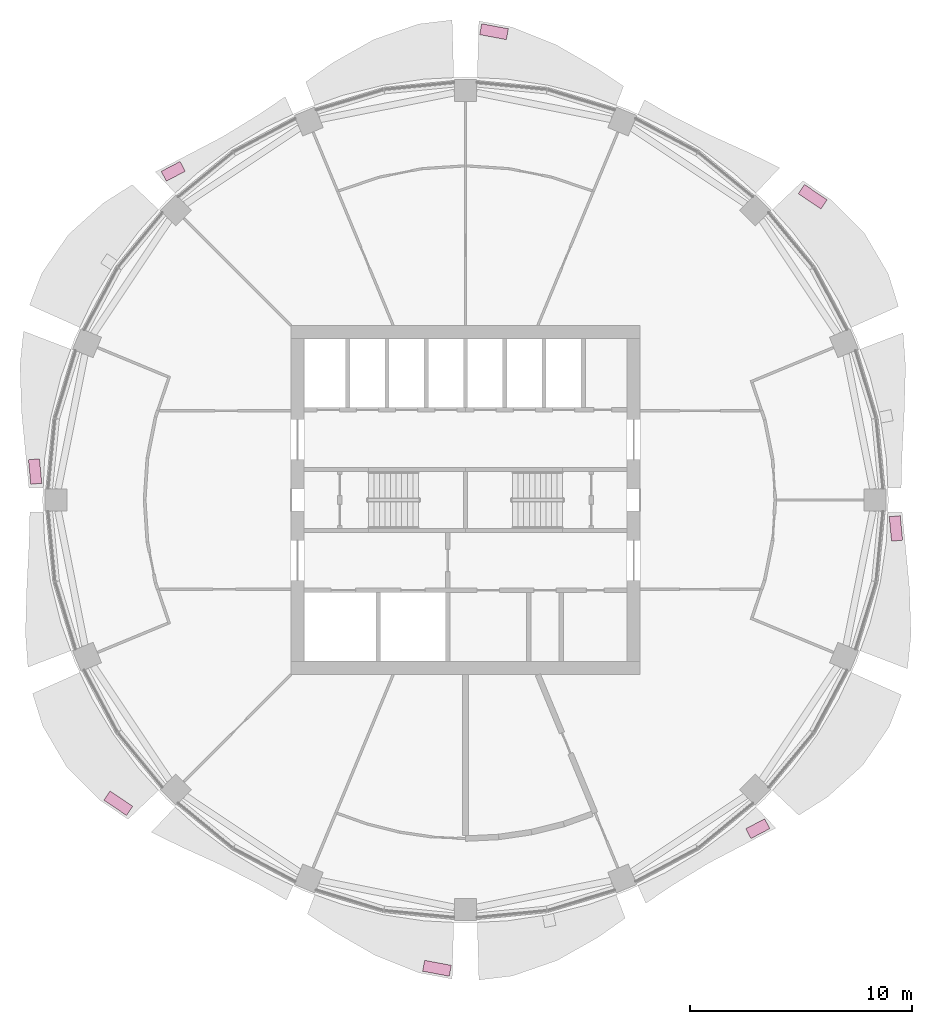
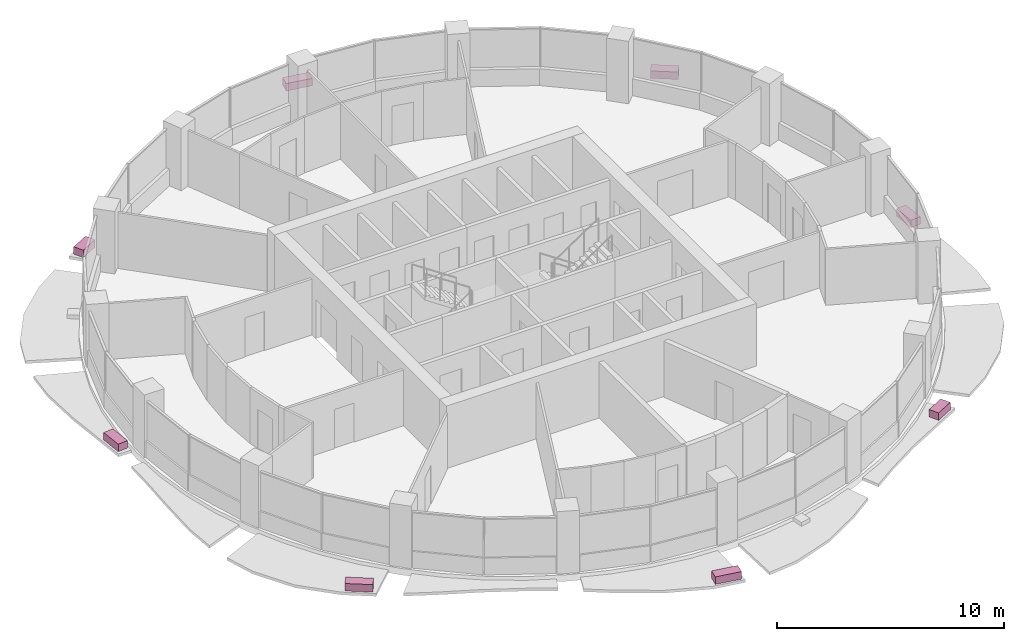
# One storey, part 15 of 15: 8 furniture elements.
"""IFC4 building model written with IfcOpenShell, lengths in metres."""

import ifcopenshell
import ifcopenshell.guid

model = None  # the IFC model being written
_history = None  # IfcOwnerHistory: only IFC2X3 demands one
_inside = {}  # id of a spatial element -> (the spatial element, [elements in it])
_under = {}  # id of a project, library or spatial element -> (it, [spatial elements below it])
_declared = {}  # id of a project -> (the project, [libraries it declares])
_typed = {}  # id of a type object -> (the type object, [elements of that type])
_made_of = {}  # id of a material, layer set ... -> (it, [elements and type objects made of it])


def new_model(schema):
    """Start an empty IFC model of exactly this schema.

    Asked for "IFC4X3", IfcOpenShell would pick the latest addendum, in which some entities
    have other attributes; the version numbers below select the first issue.
    IFC2X3 requires an IfcOwnerHistory on every rooted entity: one is made here for all.
    """
    global model, _history
    if schema == "IFC4X3":
        model = ifcopenshell.file(schema_version=(4, 3, 0, 0))
    else:
        model = ifcopenshell.file(schema=schema)
    _inside.clear()
    _under.clear()
    _declared.clear()
    _typed.clear()
    _made_of.clear()
    _history = None
    if model.schema == "IFC2X3":
        org = make("IfcOrganization", Name="unknown")
        user = make(
            "IfcPersonAndOrganization",
            ThePerson=make("IfcPerson", FamilyName="unknown"),
            TheOrganization=org,
        )
        app = make(
            "IfcApplication",
            ApplicationDeveloper=org,
            Version="unknown",
            ApplicationFullName="unknown",
            ApplicationIdentifier="unknown",
        )
        _history = make(
            "IfcOwnerHistory",
            OwningUser=user,
            OwningApplication=app,
            ChangeAction="ADDED",
            CreationDate=0,
        )
    return model


def make(cls, **values):
    """One entity of the class cls with the attributes given. An attribute that is None is left unset."""
    return model.create_entity(
        cls, **{name: value for name, value in values.items() if value is not None}
    )


def rooted(cls, **values):
    """An entity with a GlobalId (a new one), such as an element, a storey or a relation."""
    return make(cls, GlobalId=ifcopenshell.guid.new(), OwnerHistory=_history, **values)


def si_unit(unit_type, name, prefix=None):
    """IfcSIUnit, for example si_unit("LENGTHUNIT", "METRE", prefix="MILLI")."""
    return make("IfcSIUnit", UnitType=unit_type, Prefix=prefix, Name=name)


def assignment(units):
    """IfcUnitAssignment: the units of a project."""
    return None if units is None else make("IfcUnitAssignment", Units=units)


def point(xyz):
    """IfcCartesianPoint."""
    return None if xyz is None else make("IfcCartesianPoint", Coordinates=xyz)


def direction(xyz):
    """IfcDirection."""
    return None if xyz is None else make("IfcDirection", DirectionRatios=xyz)


def frame(location, z_axis=None, x_axis=None):
    """IfcAxis2Placement3D, a coordinate frame: its origin and axes. An axis left out is left unset."""
    return make(
        "IfcAxis2Placement3D",
        Location=point(location),
        Axis=direction(z_axis),
        RefDirection=direction(x_axis),
    )


def frame_2d(location, x_axis=None):
    """IfcAxis2Placement2D, a coordinate frame in the plane: its origin and x axis."""
    return make(
        "IfcAxis2Placement2D", Location=point(location), RefDirection=direction(x_axis)
    )


def origin():
    """The frame at (0, 0, 0) with its axes left unset."""
    return frame((0.0, 0.0, 0.0))


def origin_2d():
    """The frame at (0, 0) in the plane with its x axis left unset."""
    return frame_2d((0.0, 0.0))


def place(relative_to, where):
    """IfcLocalPlacement: puts the frame where relative to a parent placement (None: the world)."""
    return make(
        "IfcLocalPlacement", PlacementRelTo=relative_to, RelativePlacement=where
    )


def context(
    kind, dimensions, precision=None, world=None, true_north=None, identifier=None
):
    """IfcGeometricRepresentationContext, for example the 3D "Model" context."""
    return make(
        "IfcGeometricRepresentationContext",
        ContextIdentifier=identifier,
        ContextType=kind,
        CoordinateSpaceDimension=dimensions,
        Precision=precision,
        WorldCoordinateSystem=world,
        TrueNorth=true_north,
    )


def subcontext(parent, identifier, kind, view, scale=None):
    """IfcGeometricRepresentationSubContext, for example "Body" below "Model"."""
    return make(
        "IfcGeometricRepresentationSubContext",
        ContextIdentifier=identifier,
        ContextType=kind,
        ParentContext=parent,
        TargetScale=scale,
        TargetView=view,
    )


def project(units=None, contexts=None):
    """IfcProject with its units and contexts."""
    return rooted(
        "IfcProject",
        Name="project",
        RepresentationContexts=contexts,
        UnitsInContext=assignment(units),
    )


def spatial(cls, under=None, at=None, **own):
    """A site, building, storey or space (cls), placed at a placement, below another one or the project."""
    s = rooted(cls, ObjectPlacement=at, **own)
    if under is not None:
        _under.setdefault(under.id(), (under, []))[1].append(s)
    return s


def profile(cls, at=None, kind="AREA", **sizes):
    """A parametric profile (cls). Its sizes go by their IFC names, for example OverallWidth=200.0."""
    return make(cls, ProfileType=kind, Position=at, **sizes)


def rectangle(**sizes):
    """IfcRectangleProfileDef."""
    return profile("IfcRectangleProfileDef", **sizes)


def extrude(swept, where, along, depth):
    """IfcExtrudedAreaSolid: the profile swept, set in the frame where, extruded along a direction by depth."""
    return make(
        "IfcExtrudedAreaSolid",
        SweptArea=swept,
        Position=where,
        ExtrudedDirection=direction(along),
        Depth=depth,
    )


def shape(context_of_items, identifier, shape_type, items):
    """IfcShapeRepresentation: the items that make up one representation, for example the "Body"."""
    return make(
        "IfcShapeRepresentation",
        ContextOfItems=context_of_items,
        RepresentationIdentifier=identifier,
        RepresentationType=shape_type,
        Items=items,
    )


def material(Name=None, Category=None):
    """IfcMaterial."""
    return make("IfcMaterial", Name=Name, Category=Category)


def made_of(thing, what):
    """Note that an element or type object is made of a material, layer set ...; save() writes the relation."""
    if what is not None:
        _made_of.setdefault(what.id(), (what, []))[1].append(thing)
    return thing


def type_object(cls, material=None, **own):
    """A type object (cls), such as IfcWallType, which elements share."""
    return made_of(rooted(cls, **own), material)


def element(
    cls,
    number,
    at=None,
    inside=None,
    cuts=None,
    type_object=None,
    material=None,
    context=None,
    identifier="Body",
    shape_type=None,
    held_by="IfcProductDefinitionShape",
    body=None,
    shapes=None,
    **own,
):
    """One element of the class cls, such as IfcWall. Its Tag is "e" and its number.

    at: its placement. inside: the storey or other place that contains it. cuts: it is an
    opening in that element (IfcRelVoidsElement). A single representation is given by context,
    identifier, shape_type and body (its items); several are given by shapes. held_by: the class
    of the entity that holds the representations. save() writes the other relations.
    """
    e = rooted(cls, Tag="e%d" % number, ObjectPlacement=at, **own)
    if body is not None:
        shapes = [shape(context, identifier, shape_type, body)]
    if shapes is not None:
        e.Representation = make(held_by, Representations=shapes)
    if inside is not None:
        _inside.setdefault(inside.id(), (inside, []))[1].append(e)
    if cuts is not None:
        rooted(
            "IfcRelVoidsElement", RelatingBuildingElement=cuts, RelatedOpeningElement=e
        )
    if type_object is not None:
        _typed.setdefault(type_object.id(), (type_object, []))[1].append(e)
    return made_of(e, material)


def aggregate(whole, parts):
    """IfcRelAggregates: a whole, such as a stair, and the parts it consists of."""
    return rooted("IfcRelAggregates", RelatingObject=whole, RelatedObjects=parts)


def save(model, path):
    """Write the relations noted so far, then the file.

    IfcRelAggregates (storeys below a building ...), IfcRelContainedInSpatialStructure (elements
    in a storey), IfcRelDefinesByType, IfcRelAssociatesMaterial and IfcRelDeclares: one each for
    every whole, place, type object, material and project.
    """
    for whole, parts in _under.values():
        aggregate(whole, parts)
    for where, things in _inside.values():
        rooted(
            "IfcRelContainedInSpatialStructure",
            RelatedElements=things,
            RelatingStructure=where,
        )
    for kind, things in _typed.values():
        rooted("IfcRelDefinesByType", RelatedObjects=things, RelatingType=kind)
    for what, things in _made_of.values():
        rooted("IfcRelAssociatesMaterial", RelatedObjects=things, RelatingMaterial=what)
    for by, libraries in _declared.values():
        rooted("IfcRelDeclares", RelatingContext=by, RelatedDefinitions=libraries)
    model.write(path)


model = new_model("IFC4")

# Units and contexts
model_context = context("Model", 3, precision=1e-05, world=origin(), true_north=direction((0.0, 1.0)))
body_context = subcontext(model_context, "Body", "Model", "MODEL_VIEW")
ifc_project = project(units=[si_unit("LENGTHUNIT", "METRE"), si_unit("AREAUNIT", "SQUARE_METRE"), si_unit("VOLUMEUNIT", "CUBIC_METRE"), si_unit("PLANEANGLEUNIT", "RADIAN"), si_unit("MASSUNIT", "GRAM", prefix="KILO")], contexts=[model_context])

# Site, building, storey
site_placement = place(None, origin())
site = spatial("IfcSite", under=ifc_project, at=site_placement, CompositionType="ELEMENT")
building_placement = place(site_placement, origin())
building = spatial("IfcBuilding", under=site, at=building_placement, Name="Polderwave Tower", CompositionType="ELEMENT")
storey_placement = place(building_placement, frame((0.0, 0.0, 127.64990234375)))
storey = spatial("IfcBuildingStorey", under=building, at=storey_placement, Name="L33", CompositionType="ELEMENT", Elevation=127.64990234375)

# Furniture
ifc_material = material(Name="Terracotta", Category="masonry")
furniture_type = type_object("IfcFurnitureType", Name="Terracotta planting trough", AssemblyPlace="NOTDEFINED", PredefinedType="USERDEFINED", material=ifc_material)
furniture_1_placement = place(storey_placement, frame((15.6484375, 13.665283203125, -0.199951171875), z_axis=(0.0, 0.0, 1.0), x_axis=(-0.827969323248, 0.560773394304, 0.0)))
element("IfcFurniture", 1, at=furniture_1_placement, inside=storey, type_object=furniture_type, Name="Planting trough L33 2", ObjectType="PLANTER", PredefinedType="USERDEFINED", context=body_context, shape_type="SweptSolid", body=[
    extrude(rectangle(XDim=1.234619140625, YDim=0.5, at=origin_2d()), origin(), (0.0, 0.0, 1.0), 0.39990234375),
])
furniture_2_placement = place(storey_placement, frame((1.285400390625, 21.104736328125, -0.199951171875), z_axis=(0.0, 0.0, 1.0), x_axis=(-0.982949472701, 0.183875866054, 0.0)))
element("IfcFurniture", 2, at=furniture_2_placement, inside=storey, type_object=furniture_type, Name="Planting trough L33 4", ObjectType="PLANTER", PredefinedType="USERDEFINED", context=body_context, shape_type="SweptSolid", body=[
    extrude(rectangle(XDim=1.2236328125, YDim=0.5, at=origin_2d()), origin(), (0.0, 0.0, 1.0), 0.39990234375),
])
furniture_3_placement = place(storey_placement, frame((-13.1728515625, 14.811767578125, -0.199951171875), z_axis=(0.0, 0.0, 1.0), x_axis=(-0.885816758106, -0.464035204547, 0.0)))
element("IfcFurniture", 3, at=furniture_3_placement, inside=storey, type_object=furniture_type, Name="Planting trough L33 6", ObjectType="PLANTER", PredefinedType="USERDEFINED", context=body_context, shape_type="SweptSolid", body=[
    extrude(rectangle(XDim=0.960693359375, YDim=0.5, at=origin_2d()), origin(), (0.0, 0.0, 1.0), 0.39990234375),
])
furniture_4_placement = place(storey_placement, frame((-19.396484375, 1.282958984375, -0.199951171875), z_axis=(0.0, 0.0, 1.0), x_axis=(0.09539752094, -0.995439256308, 0.0)))
element("IfcFurniture", 4, at=furniture_4_placement, inside=storey, type_object=furniture_type, Name="Planting trough L33 8", ObjectType="PLANTER", PredefinedType="USERDEFINED", context=body_context, shape_type="SweptSolid", body=[
    extrude(rectangle(XDim=1.10986328125, YDim=0.5, at=origin_2d()), origin(), (0.0, 0.0, 1.0), 0.39990234375),
])
furniture_5_placement = place(storey_placement, frame((-15.6484375, -13.665283203125, -0.199951171875), z_axis=(0.0, 0.0, 1.0), x_axis=(0.827969323248, -0.560773394304, 0.0)))
element("IfcFurniture", 5, at=furniture_5_placement, inside=storey, type_object=furniture_type, Name="Planting trough L33 10", ObjectType="PLANTER", PredefinedType="USERDEFINED", context=body_context, shape_type="SweptSolid", body=[
    extrude(rectangle(XDim=1.234619140625, YDim=0.5, at=origin_2d()), origin(), (0.0, 0.0, 1.0), 0.39990234375),
])
furniture_6_placement = place(storey_placement, frame((-1.285400390625, -21.104736328125, -0.199951171875), z_axis=(0.0, 0.0, 1.0), x_axis=(0.982949472701, -0.183875866054, 0.0)))
element("IfcFurniture", 6, at=furniture_6_placement, inside=storey, type_object=furniture_type, Name="Planting trough L33 12", ObjectType="PLANTER", PredefinedType="USERDEFINED", context=body_context, shape_type="SweptSolid", body=[
    extrude(rectangle(XDim=1.2236328125, YDim=0.5, at=origin_2d()), origin(), (0.0, 0.0, 1.0), 0.39990234375),
])
furniture_7_placement = place(storey_placement, frame((13.1728515625, -14.811767578125, -0.199951171875), z_axis=(0.0, 0.0, 1.0), x_axis=(0.885816758106, 0.464035204547, 0.0)))
element("IfcFurniture", 7, at=furniture_7_placement, inside=storey, type_object=furniture_type, Name="Planting trough L33 14", ObjectType="PLANTER", PredefinedType="USERDEFINED", context=body_context, shape_type="SweptSolid", body=[
    extrude(rectangle(XDim=0.960693359375, YDim=0.5, at=origin_2d()), origin(), (0.0, 0.0, 1.0), 0.39990234375),
])
furniture_8_placement = place(storey_placement, frame((19.396484375, -1.282958984375, -0.199951171875), z_axis=(0.0, 0.0, 1.0), x_axis=(-0.09539752094, 0.995439256308, 0.0)))
element("IfcFurniture", 8, at=furniture_8_placement, inside=storey, type_object=furniture_type, Name="Planting trough L33 16", ObjectType="PLANTER", PredefinedType="USERDEFINED", context=body_context, shape_type="SweptSolid", body=[
    extrude(rectangle(XDim=1.10986328125, YDim=0.5, at=origin_2d()), origin(), (0.0, 0.0, 1.0), 0.39990234375),
])

save(model, "model.ifc")
